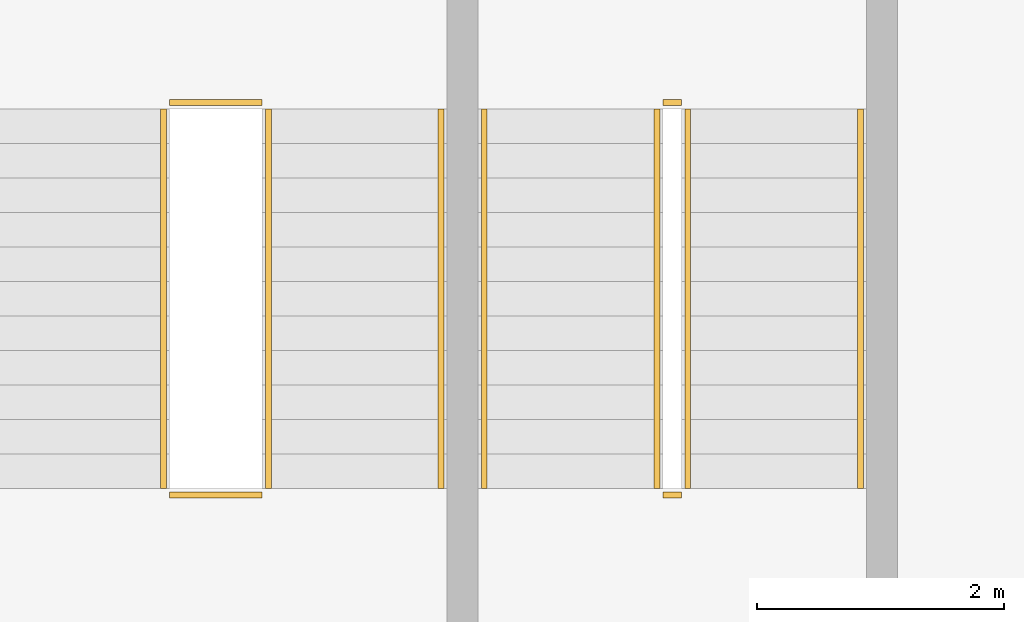
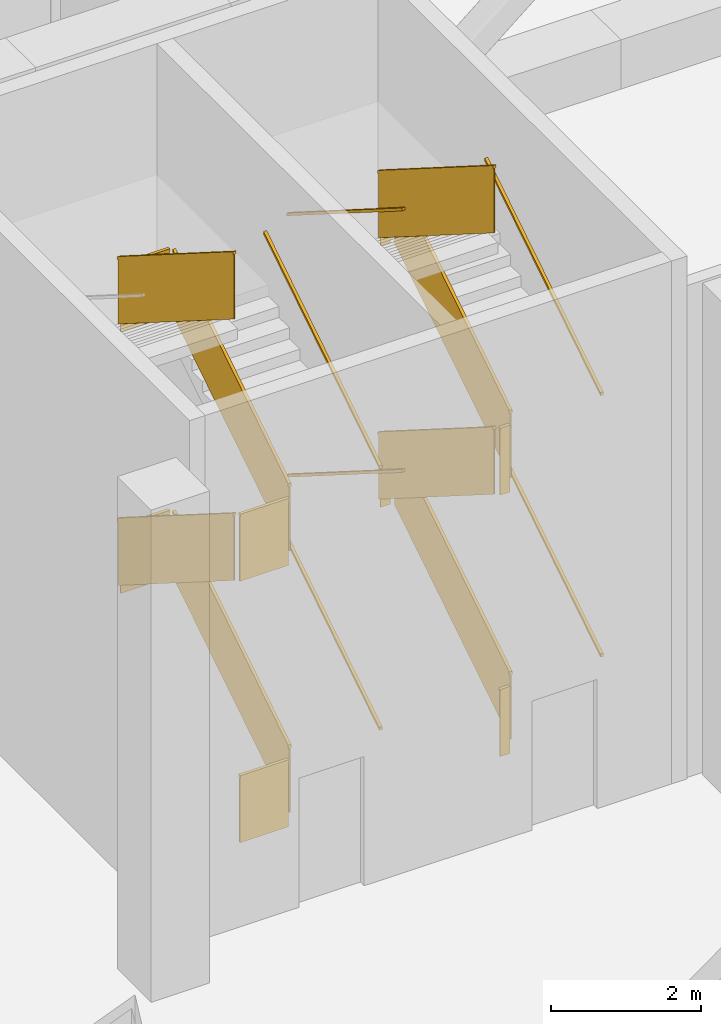
# One storey, part 29 of 31: 22 railings.
"""IFC4 building model written with IfcOpenShell, lengths in metres."""

import ifcopenshell
import ifcopenshell.guid

model = None  # the IFC model being written
_history = None  # IfcOwnerHistory: only IFC2X3 demands one
_inside = {}  # id of a spatial element -> (the spatial element, [elements in it])
_under = {}  # id of a project, library or spatial element -> (it, [spatial elements below it])
_declared = {}  # id of a project -> (the project, [libraries it declares])
_typed = {}  # id of a type object -> (the type object, [elements of that type])
_made_of = {}  # id of a material, layer set ... -> (it, [elements and type objects made of it])


def new_model(schema):
    """Start an empty IFC model of exactly this schema.

    Asked for "IFC4X3", IfcOpenShell would pick the latest addendum, in which some entities
    have other attributes; the version numbers below select the first issue.
    IFC2X3 requires an IfcOwnerHistory on every rooted entity: one is made here for all.
    """
    global model, _history
    if schema == "IFC4X3":
        model = ifcopenshell.file(schema_version=(4, 3, 0, 0))
    else:
        model = ifcopenshell.file(schema=schema)
    _inside.clear()
    _under.clear()
    _declared.clear()
    _typed.clear()
    _made_of.clear()
    _history = None
    if model.schema == "IFC2X3":
        org = make("IfcOrganization", Name="unknown")
        user = make(
            "IfcPersonAndOrganization",
            ThePerson=make("IfcPerson", FamilyName="unknown"),
            TheOrganization=org,
        )
        app = make(
            "IfcApplication",
            ApplicationDeveloper=org,
            Version="unknown",
            ApplicationFullName="unknown",
            ApplicationIdentifier="unknown",
        )
        _history = make(
            "IfcOwnerHistory",
            OwningUser=user,
            OwningApplication=app,
            ChangeAction="ADDED",
            CreationDate=0,
        )
    return model


def make(cls, **values):
    """One entity of the class cls with the attributes given. An attribute that is None is left unset."""
    return model.create_entity(
        cls, **{name: value for name, value in values.items() if value is not None}
    )


def rooted(cls, **values):
    """An entity with a GlobalId (a new one), such as an element, a storey or a relation."""
    return make(cls, GlobalId=ifcopenshell.guid.new(), OwnerHistory=_history, **values)


def si_unit(unit_type, name, prefix=None):
    """IfcSIUnit, for example si_unit("LENGTHUNIT", "METRE", prefix="MILLI")."""
    return make("IfcSIUnit", UnitType=unit_type, Prefix=prefix, Name=name)


def assignment(units):
    """IfcUnitAssignment: the units of a project."""
    return None if units is None else make("IfcUnitAssignment", Units=units)


def point(xyz):
    """IfcCartesianPoint."""
    return None if xyz is None else make("IfcCartesianPoint", Coordinates=xyz)


def direction(xyz):
    """IfcDirection."""
    return None if xyz is None else make("IfcDirection", DirectionRatios=xyz)


def frame(location, z_axis=None, x_axis=None):
    """IfcAxis2Placement3D, a coordinate frame: its origin and axes. An axis left out is left unset."""
    return make(
        "IfcAxis2Placement3D",
        Location=point(location),
        Axis=direction(z_axis),
        RefDirection=direction(x_axis),
    )


def frame_2d(location, x_axis=None):
    """IfcAxis2Placement2D, a coordinate frame in the plane: its origin and x axis."""
    return make(
        "IfcAxis2Placement2D", Location=point(location), RefDirection=direction(x_axis)
    )


def origin():
    """The frame at (0, 0, 0) with its axes left unset."""
    return frame((0.0, 0.0, 0.0))


def origin_2d():
    """The frame at (0, 0) in the plane with its x axis left unset."""
    return frame_2d((0.0, 0.0))


def place(relative_to, where):
    """IfcLocalPlacement: puts the frame where relative to a parent placement (None: the world)."""
    return make(
        "IfcLocalPlacement", PlacementRelTo=relative_to, RelativePlacement=where
    )


def context(
    kind, dimensions, precision=None, world=None, true_north=None, identifier=None
):
    """IfcGeometricRepresentationContext, for example the 3D "Model" context."""
    return make(
        "IfcGeometricRepresentationContext",
        ContextIdentifier=identifier,
        ContextType=kind,
        CoordinateSpaceDimension=dimensions,
        Precision=precision,
        WorldCoordinateSystem=world,
        TrueNorth=true_north,
    )


def subcontext(parent, identifier, kind, view, scale=None):
    """IfcGeometricRepresentationSubContext, for example "Body" below "Model"."""
    return make(
        "IfcGeometricRepresentationSubContext",
        ContextIdentifier=identifier,
        ContextType=kind,
        ParentContext=parent,
        TargetScale=scale,
        TargetView=view,
    )


def project(units=None, contexts=None):
    """IfcProject with its units and contexts."""
    return rooted(
        "IfcProject",
        Name="project",
        RepresentationContexts=contexts,
        UnitsInContext=assignment(units),
    )


def spatial(cls, under=None, at=None, **own):
    """A site, building, storey or space (cls), placed at a placement, below another one or the project."""
    s = rooted(cls, ObjectPlacement=at, **own)
    if under is not None:
        _under.setdefault(under.id(), (under, []))[1].append(s)
    return s


def profile(cls, at=None, kind="AREA", **sizes):
    """A parametric profile (cls). Its sizes go by their IFC names, for example OverallWidth=200.0."""
    return make(cls, ProfileType=kind, Position=at, **sizes)


def rectangle(**sizes):
    """IfcRectangleProfileDef."""
    return profile("IfcRectangleProfileDef", **sizes)


def extrude(swept, where, along, depth):
    """IfcExtrudedAreaSolid: the profile swept, set in the frame where, extruded along a direction by depth."""
    return make(
        "IfcExtrudedAreaSolid",
        SweptArea=swept,
        Position=where,
        ExtrudedDirection=direction(along),
        Depth=depth,
    )


def shape(context_of_items, identifier, shape_type, items):
    """IfcShapeRepresentation: the items that make up one representation, for example the "Body"."""
    return make(
        "IfcShapeRepresentation",
        ContextOfItems=context_of_items,
        RepresentationIdentifier=identifier,
        RepresentationType=shape_type,
        Items=items,
    )


def material(Name=None, Category=None):
    """IfcMaterial."""
    return make("IfcMaterial", Name=Name, Category=Category)


def made_of(thing, what):
    """Note that an element or type object is made of a material, layer set ...; save() writes the relation."""
    if what is not None:
        _made_of.setdefault(what.id(), (what, []))[1].append(thing)
    return thing


def type_object(cls, material=None, **own):
    """A type object (cls), such as IfcWallType, which elements share."""
    return made_of(rooted(cls, **own), material)


def element(
    cls,
    number,
    at=None,
    inside=None,
    cuts=None,
    type_object=None,
    material=None,
    context=None,
    identifier="Body",
    shape_type=None,
    held_by="IfcProductDefinitionShape",
    body=None,
    shapes=None,
    **own,
):
    """One element of the class cls, such as IfcWall. Its Tag is "e" and its number.

    at: its placement. inside: the storey or other place that contains it. cuts: it is an
    opening in that element (IfcRelVoidsElement). A single representation is given by context,
    identifier, shape_type and body (its items); several are given by shapes. held_by: the class
    of the entity that holds the representations. save() writes the other relations.
    """
    e = rooted(cls, Tag="e%d" % number, ObjectPlacement=at, **own)
    if body is not None:
        shapes = [shape(context, identifier, shape_type, body)]
    if shapes is not None:
        e.Representation = make(held_by, Representations=shapes)
    if inside is not None:
        _inside.setdefault(inside.id(), (inside, []))[1].append(e)
    if cuts is not None:
        rooted(
            "IfcRelVoidsElement", RelatingBuildingElement=cuts, RelatedOpeningElement=e
        )
    if type_object is not None:
        _typed.setdefault(type_object.id(), (type_object, []))[1].append(e)
    return made_of(e, material)


def aggregate(whole, parts):
    """IfcRelAggregates: a whole, such as a stair, and the parts it consists of."""
    return rooted("IfcRelAggregates", RelatingObject=whole, RelatedObjects=parts)


def save(model, path):
    """Write the relations noted so far, then the file.

    IfcRelAggregates (storeys below a building ...), IfcRelContainedInSpatialStructure (elements
    in a storey), IfcRelDefinesByType, IfcRelAssociatesMaterial and IfcRelDeclares: one each for
    every whole, place, type object, material and project.
    """
    for whole, parts in _under.values():
        aggregate(whole, parts)
    for where, things in _inside.values():
        rooted(
            "IfcRelContainedInSpatialStructure",
            RelatedElements=things,
            RelatingStructure=where,
        )
    for kind, things in _typed.values():
        rooted("IfcRelDefinesByType", RelatedObjects=things, RelatingType=kind)
    for what, things in _made_of.values():
        rooted("IfcRelAssociatesMaterial", RelatedObjects=things, RelatingMaterial=what)
    for by, libraries in _declared.values():
        rooted("IfcRelDeclares", RelatingContext=by, RelatedDefinitions=libraries)
    model.write(path)


model = new_model("IFC4")

# Units and contexts
model_context = context("Model", 3, precision=1e-05, world=origin(), true_north=direction((0.0, 1.0)))
body_context = subcontext(model_context, "Body", "Model", "MODEL_VIEW")
ifc_project = project(units=[si_unit("LENGTHUNIT", "METRE"), si_unit("AREAUNIT", "SQUARE_METRE"), si_unit("VOLUMEUNIT", "CUBIC_METRE"), si_unit("PLANEANGLEUNIT", "RADIAN"), si_unit("MASSUNIT", "GRAM", prefix="KILO")], contexts=[model_context])

# Site, building, storey
site_placement = place(None, origin())
site = spatial("IfcSite", under=ifc_project, at=site_placement, CompositionType="ELEMENT")
building_placement = place(site_placement, origin())
building = spatial("IfcBuilding", under=site, at=building_placement, Name="Mirante Cascada Hotel Towers", CompositionType="ELEMENT")
storey_placement = place(building_placement, frame((0.0, 0.0, 9.0)))
storey = spatial("IfcBuildingStorey", under=building, at=storey_placement, Name="L01", CompositionType="ELEMENT", Elevation=9.0)

# Railings
ifc_material_1 = material(Name="Painted steel", Category="steel")
railing_type_1 = type_object("IfcRailingType", Name="Podium stair guard 1100 steel balustrade", PredefinedType="GUARDRAIL", material=ifc_material_1)
railing_1_placement = place(storey_placement, frame((-20.375, -15.775, 0.1771)))
element("IfcRailing", 1, at=railing_1_placement, inside=storey, type_object=railing_type_1, Name="L01 PS1 stair guard 1", PredefinedType="GUARDRAIL", context=body_context, shape_type="SweptSolid", body=[
    extrude(rectangle(XDim=0.048, YDim=0.048, at=origin_2d()), frame((0.0, 0.0, 1.076), z_axis=(0.0, 1.0, 0.0), x_axis=(-1.0, 0.0, 0.0)), (0.0, 0.5345101, 0.8451621), 3.6443),
    extrude(rectangle(XDim=0.02, YDim=1.052, at=origin_2d()), frame((0.0, 0.0, 0.526), z_axis=(0.0, 1.0, 0.0), x_axis=(-1.0, 0.0, 0.0)), (0.0, 0.5345101, 0.8451621), 3.6443),
])
railing_2_placement = place(storey_placement, frame((-20.425, -12.645, 2.125)))
element("IfcRailing", 2, at=railing_2_placement, inside=storey, type_object=railing_type_1, Name="L01 PS1 stair guard 2", PredefinedType="GUARDRAIL", context=body_context, shape_type="SweptSolid", body=[
    extrude(rectangle(XDim=0.048, YDim=0.048, at=origin_2d()), frame((0.0, 0.0, 1.076), z_axis=(-1.0, 0.0, 0.0), x_axis=(0.0, -1.0, 0.0)), (0.0, 0.0, 1.0), 0.15),
    extrude(rectangle(XDim=0.02, YDim=1.052, at=origin_2d()), frame((0.0, 0.0, 0.526), z_axis=(-1.0, 0.0, 0.0), x_axis=(0.0, -1.0, 0.0)), (0.0, 0.0, 1.0), 0.15),
])
railing_3_placement = place(storey_placement, frame((-20.625, -12.695, 2.3021)))
element("IfcRailing", 3, at=railing_3_placement, inside=storey, type_object=railing_type_1, Name="L01 PS1 stair guard 3", PredefinedType="GUARDRAIL", context=body_context, shape_type="SweptSolid", body=[
    extrude(rectangle(XDim=0.048, YDim=0.048, at=origin_2d()), frame((0.0, 0.0, 1.076), z_axis=(0.0, -1.0, 0.0), x_axis=(1.0, 0.0, 0.0)), (0.0, 0.5345101, 0.8451621), 3.6443),
    extrude(rectangle(XDim=0.02, YDim=1.052, at=origin_2d()), frame((0.0, 0.0, 0.526), z_axis=(0.0, -1.0, 0.0), x_axis=(1.0, 0.0, 0.0)), (0.0, 0.5345101, 0.8451621), 3.6443),
])
railing_4_placement = place(storey_placement, frame((-20.425, -15.825, 4.25)))
element("IfcRailing", 4, at=railing_4_placement, inside=storey, type_object=railing_type_1, Name="L01 PS1 stair guard 4", PredefinedType="GUARDRAIL", context=body_context, shape_type="SweptSolid", body=[
    extrude(rectangle(XDim=0.048, YDim=0.048, at=origin_2d()), frame((0.0, 0.0, 1.076), z_axis=(-1.0, 0.0, 0.0), x_axis=(0.0, -1.0, 0.0)), (0.0, 0.0, 1.0), 0.15),
    extrude(rectangle(XDim=0.02, YDim=1.052, at=origin_2d()), frame((0.0, 0.0, 0.526), z_axis=(-1.0, 0.0, 0.0), x_axis=(0.0, -1.0, 0.0)), (0.0, 0.0, 1.0), 0.15),
])
railing_5_placement = place(storey_placement, frame((-20.375, -15.775, 4.4271)))
element("IfcRailing", 5, at=railing_5_placement, inside=storey, type_object=railing_type_1, Name="L01 PS1 stair guard 5", PredefinedType="GUARDRAIL", context=body_context, shape_type="SweptSolid", body=[
    extrude(rectangle(XDim=0.048, YDim=0.048, at=origin_2d()), frame((0.0, 0.0, 1.076), z_axis=(0.0, 1.0, 0.0), x_axis=(-1.0, 0.0, 0.0)), (0.0, 0.5345101, 0.8451621), 3.6443),
    extrude(rectangle(XDim=0.02, YDim=1.052, at=origin_2d()), frame((0.0, 0.0, 0.526), z_axis=(0.0, 1.0, 0.0), x_axis=(-1.0, 0.0, 0.0)), (0.0, 0.5345101, 0.8451621), 3.6443),
])
railing_6_placement = place(storey_placement, frame((-20.425, -12.645, 6.375)))
element("IfcRailing", 6, at=railing_6_placement, inside=storey, type_object=railing_type_1, Name="L01 PS1 stair guard 6", PredefinedType="GUARDRAIL", context=body_context, shape_type="SweptSolid", body=[
    extrude(rectangle(XDim=0.048, YDim=0.048, at=origin_2d()), frame((0.0, 0.0, 1.076), z_axis=(-1.0, 0.0, 0.0), x_axis=(0.0, -1.0, 0.0)), (0.0, 0.0, 1.0), 0.15),
    extrude(rectangle(XDim=0.02, YDim=1.052, at=origin_2d()), frame((0.0, 0.0, 0.526), z_axis=(-1.0, 0.0, 0.0), x_axis=(0.0, -1.0, 0.0)), (0.0, 0.0, 1.0), 0.15),
])
railing_7_placement = place(storey_placement, frame((-20.625, -12.695, 6.5521)))
element("IfcRailing", 7, at=railing_7_placement, inside=storey, type_object=railing_type_1, Name="L01 PS1 stair guard 7", PredefinedType="GUARDRAIL", context=body_context, shape_type="SweptSolid", body=[
    extrude(rectangle(XDim=0.048, YDim=0.048, at=origin_2d()), frame((0.0, 0.0, 1.076), z_axis=(0.0, -1.0, 0.0), x_axis=(1.0, 0.0, 0.0)), (0.0, 0.5345101, 0.8451621), 3.6443),
    extrude(rectangle(XDim=0.02, YDim=1.052, at=origin_2d()), frame((0.0, 0.0, 0.526), z_axis=(0.0, -1.0, 0.0), x_axis=(1.0, 0.0, 0.0)), (0.0, 0.5345101, 0.8451621), 3.6443),
])
railing_8_placement = place(storey_placement, frame((-20.425, -15.825, 0.0)))
element("IfcRailing", 8, at=railing_8_placement, inside=storey, type_object=railing_type_1, Name="L01 PS1 stair guard 8", PredefinedType="GUARDRAIL", context=body_context, shape_type="SweptSolid", body=[
    extrude(rectangle(XDim=0.048, YDim=0.048, at=origin_2d()), frame((0.0, 0.0, 1.076), z_axis=(-1.0, 0.0, 0.0), x_axis=(0.0, -1.0, 0.0)), (0.0, 0.0, 1.0), 0.15),
    extrude(rectangle(XDim=0.02, YDim=1.052, at=origin_2d()), frame((0.0, 0.0, 0.526), z_axis=(-1.0, 0.0, 0.0), x_axis=(0.0, -1.0, 0.0)), (0.0, 0.0, 1.0), 0.15),
])
railing_9_placement = place(storey_placement, frame((-23.775, -15.775, 0.1771)))
element("IfcRailing", 9, at=railing_9_placement, inside=storey, type_object=railing_type_1, Name="L01 PS3 stair guard 1", PredefinedType="GUARDRAIL", context=body_context, shape_type="SweptSolid", body=[
    extrude(rectangle(XDim=0.048, YDim=0.048, at=origin_2d()), frame((0.0, 0.0, 1.076), z_axis=(0.0, 1.0, 0.0), x_axis=(-1.0, 0.0, 0.0)), (0.0, 0.5345101, 0.8451621), 3.6443),
    extrude(rectangle(XDim=0.02, YDim=1.052, at=origin_2d()), frame((0.0, 0.0, 0.526), z_axis=(0.0, 1.0, 0.0), x_axis=(-1.0, 0.0, 0.0)), (0.0, 0.5345101, 0.8451621), 3.6443),
])
railing_10_placement = place(storey_placement, frame((-23.825, -12.645, 2.125)))
element("IfcRailing", 10, at=railing_10_placement, inside=storey, type_object=railing_type_1, Name="L01 PS3 stair guard 2", PredefinedType="GUARDRAIL", context=body_context, shape_type="SweptSolid", body=[
    extrude(rectangle(XDim=0.048, YDim=0.048, at=origin_2d()), frame((0.0, 0.0, 1.076), z_axis=(-1.0, 0.0, 0.0), x_axis=(0.0, -1.0, 0.0)), (0.0, 0.0, 1.0), 0.75),
    extrude(rectangle(XDim=0.02, YDim=1.052, at=origin_2d()), frame((0.0, 0.0, 0.526), z_axis=(-1.0, 0.0, 0.0), x_axis=(0.0, -1.0, 0.0)), (0.0, 0.0, 1.0), 0.75),
])
railing_11_placement = place(storey_placement, frame((-24.625, -12.695, 2.3021)))
element("IfcRailing", 11, at=railing_11_placement, inside=storey, type_object=railing_type_1, Name="L01 PS3 stair guard 3", PredefinedType="GUARDRAIL", context=body_context, shape_type="SweptSolid", body=[
    extrude(rectangle(XDim=0.048, YDim=0.048, at=origin_2d()), frame((0.0, 0.0, 1.076), z_axis=(0.0, -1.0, 0.0), x_axis=(1.0, 0.0, 0.0)), (0.0, 0.5345101, 0.8451621), 3.6443),
    extrude(rectangle(XDim=0.02, YDim=1.052, at=origin_2d()), frame((0.0, 0.0, 0.526), z_axis=(0.0, -1.0, 0.0), x_axis=(1.0, 0.0, 0.0)), (0.0, 0.5345101, 0.8451621), 3.6443),
])
railing_12_placement = place(storey_placement, frame((-23.825, -15.825, 4.25)))
element("IfcRailing", 12, at=railing_12_placement, inside=storey, type_object=railing_type_1, Name="L01 PS3 stair guard 4", PredefinedType="GUARDRAIL", context=body_context, shape_type="SweptSolid", body=[
    extrude(rectangle(XDim=0.048, YDim=0.048, at=origin_2d()), frame((0.0, 0.0, 1.076), z_axis=(-1.0, 0.0, 0.0), x_axis=(0.0, -1.0, 0.0)), (0.0, 0.0, 1.0), 0.75),
    extrude(rectangle(XDim=0.02, YDim=1.052, at=origin_2d()), frame((0.0, 0.0, 0.526), z_axis=(-1.0, 0.0, 0.0), x_axis=(0.0, -1.0, 0.0)), (0.0, 0.0, 1.0), 0.75),
])
railing_13_placement = place(storey_placement, frame((-23.775, -15.775, 4.4271)))
element("IfcRailing", 13, at=railing_13_placement, inside=storey, type_object=railing_type_1, Name="L01 PS3 stair guard 5", PredefinedType="GUARDRAIL", context=body_context, shape_type="SweptSolid", body=[
    extrude(rectangle(XDim=0.048, YDim=0.048, at=origin_2d()), frame((0.0, 0.0, 1.076), z_axis=(0.0, 1.0, 0.0), x_axis=(-1.0, 0.0, 0.0)), (0.0, 0.5345101, 0.8451621), 3.6443),
    extrude(rectangle(XDim=0.02, YDim=1.052, at=origin_2d()), frame((0.0, 0.0, 0.526), z_axis=(0.0, 1.0, 0.0), x_axis=(-1.0, 0.0, 0.0)), (0.0, 0.5345101, 0.8451621), 3.6443),
])
railing_14_placement = place(storey_placement, frame((-23.825, -12.645, 6.375)))
element("IfcRailing", 14, at=railing_14_placement, inside=storey, type_object=railing_type_1, Name="L01 PS3 stair guard 6", PredefinedType="GUARDRAIL", context=body_context, shape_type="SweptSolid", body=[
    extrude(rectangle(XDim=0.048, YDim=0.048, at=origin_2d()), frame((0.0, 0.0, 1.076), z_axis=(-1.0, 0.0, 0.0), x_axis=(0.0, -1.0, 0.0)), (0.0, 0.0, 1.0), 0.75),
    extrude(rectangle(XDim=0.02, YDim=1.052, at=origin_2d()), frame((0.0, 0.0, 0.526), z_axis=(-1.0, 0.0, 0.0), x_axis=(0.0, -1.0, 0.0)), (0.0, 0.0, 1.0), 0.75),
])
railing_15_placement = place(storey_placement, frame((-24.625, -12.695, 6.5521)))
element("IfcRailing", 15, at=railing_15_placement, inside=storey, type_object=railing_type_1, Name="L01 PS3 stair guard 7", PredefinedType="GUARDRAIL", context=body_context, shape_type="SweptSolid", body=[
    extrude(rectangle(XDim=0.048, YDim=0.048, at=origin_2d()), frame((0.0, 0.0, 1.076), z_axis=(0.0, -1.0, 0.0), x_axis=(1.0, 0.0, 0.0)), (0.0, 0.5345101, 0.8451621), 3.6443),
    extrude(rectangle(XDim=0.02, YDim=1.052, at=origin_2d()), frame((0.0, 0.0, 0.526), z_axis=(0.0, -1.0, 0.0), x_axis=(1.0, 0.0, 0.0)), (0.0, 0.5345101, 0.8451621), 3.6443),
])
railing_16_placement = place(storey_placement, frame((-23.825, -15.825, 0.0)))
element("IfcRailing", 16, at=railing_16_placement, inside=storey, type_object=railing_type_1, Name="L01 PS3 stair guard 8", PredefinedType="GUARDRAIL", context=body_context, shape_type="SweptSolid", body=[
    extrude(rectangle(XDim=0.048, YDim=0.048, at=origin_2d()), frame((0.0, 0.0, 1.076), z_axis=(-1.0, 0.0, 0.0), x_axis=(0.0, -1.0, 0.0)), (0.0, 0.0, 1.0), 0.75),
    extrude(rectangle(XDim=0.02, YDim=1.052, at=origin_2d()), frame((0.0, 0.0, 0.526), z_axis=(-1.0, 0.0, 0.0), x_axis=(0.0, -1.0, 0.0)), (0.0, 0.0, 1.0), 0.75),
])
ifc_material_2 = material(Name="Painted steel", Category="steel")
railing_type_2 = type_object("IfcRailingType", Name="Podium stair handrail 900 steel tube", PredefinedType="HANDRAIL", material=ifc_material_2)
railing_17_placement = place(storey_placement, frame((-18.975, -15.775, 0.1771)))
element("IfcRailing", 17, at=railing_17_placement, inside=storey, type_object=railing_type_2, Name="L01 PS1 stair handrail 1", PredefinedType="HANDRAIL", context=body_context, shape_type="SweptSolid", body=[
    extrude(rectangle(XDim=0.048, YDim=0.048, at=origin_2d()), frame((0.0, 0.0, 0.876), z_axis=(0.0, 1.0, 0.0), x_axis=(-1.0, 0.0, 0.0)), (0.0, 0.5345101, 0.8451621), 3.6443),
])
railing_18_placement = place(storey_placement, frame((-22.025, -12.695, 2.3021)))
element("IfcRailing", 18, at=railing_18_placement, inside=storey, type_object=railing_type_2, Name="L01 PS1 stair handrail 2", PredefinedType="HANDRAIL", context=body_context, shape_type="SweptSolid", body=[
    extrude(rectangle(XDim=0.048, YDim=0.048, at=origin_2d()), frame((0.0, 0.0, 0.876), z_axis=(0.0, -1.0, 0.0), x_axis=(1.0, 0.0, 0.0)), (0.0, 0.5345101, 0.8451621), 3.6443),
])
railing_19_placement = place(storey_placement, frame((-18.975, -15.775, 4.4271)))
element("IfcRailing", 19, at=railing_19_placement, inside=storey, type_object=railing_type_2, Name="L01 PS1 stair handrail 3", PredefinedType="HANDRAIL", context=body_context, shape_type="SweptSolid", body=[
    extrude(rectangle(XDim=0.048, YDim=0.048, at=origin_2d()), frame((0.0, 0.0, 0.876), z_axis=(0.0, 1.0, 0.0), x_axis=(-1.0, 0.0, 0.0)), (0.0, 0.5345101, 0.8451621), 3.6443),
])
railing_20_placement = place(storey_placement, frame((-22.025, -12.695, 6.5521)))
element("IfcRailing", 20, at=railing_20_placement, inside=storey, type_object=railing_type_2, Name="L01 PS1 stair handrail 4", PredefinedType="HANDRAIL", context=body_context, shape_type="SweptSolid", body=[
    extrude(rectangle(XDim=0.048, YDim=0.048, at=origin_2d()), frame((0.0, 0.0, 0.876), z_axis=(0.0, -1.0, 0.0), x_axis=(1.0, 0.0, 0.0)), (0.0, 0.5345101, 0.8451621), 3.6443),
])
for number, where, name in (
    (21, (-22.375, -15.775, 0.1771), "L01 PS3 stair handrail 1"),
    (22, (-22.375, -15.775, 4.4271), "L01 PS3 stair handrail 3"),
):
    element("IfcRailing", number, at=place(storey_placement, frame(where)), inside=storey, type_object=railing_type_2, Name=name, PredefinedType="HANDRAIL", context=body_context, shape_type="SweptSolid", body=[
        extrude(rectangle(XDim=0.048, YDim=0.048, at=origin_2d()), frame((0.0, 0.0, 0.876), z_axis=(0.0, 1.0, 0.0), x_axis=(-1.0, 0.0, 0.0)), (0.0, 0.5345101, 0.8451621), 3.6443),
    ])

save(model, "model.ifc")
